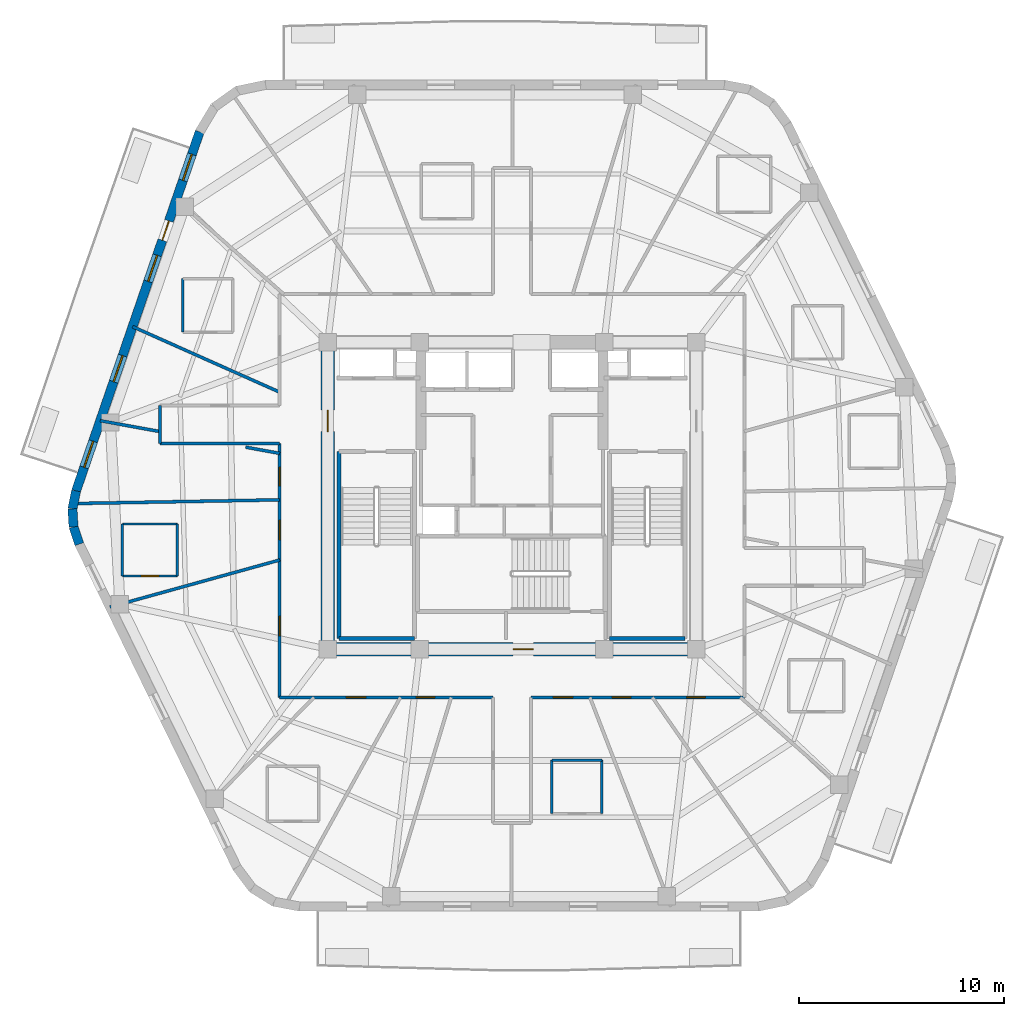
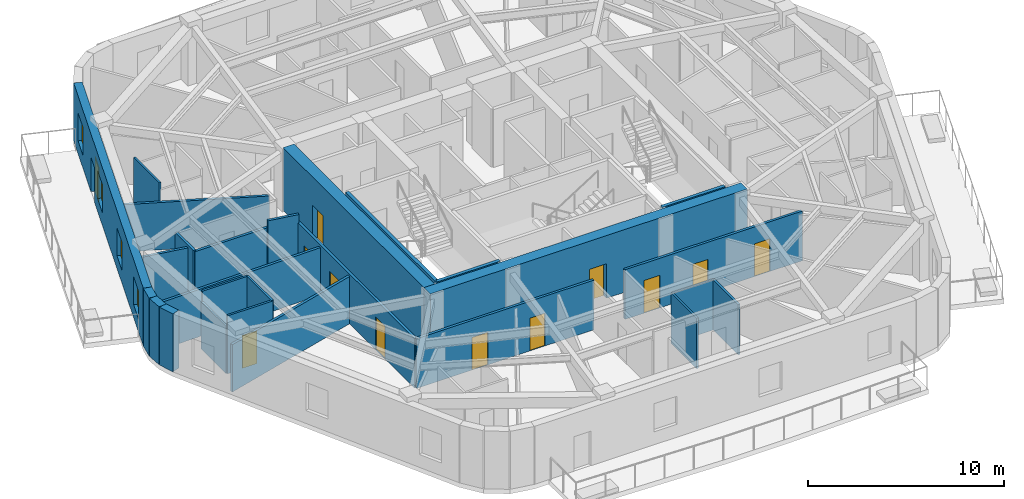
# One storey, part 3 of 9: 27 walls, 12 doors, 4 windows, 16 openings.
"""IFC4 building model written with IfcOpenShell, lengths in metres."""

from ifc_helpers import new_model, si_unit, direction, frame, frame_2d, origin, place, context, subcontext, project, spatial, rectangle, extrude, material, layer, layer_set, type_object, element, fill, save


model = new_model("IFC4")

# Units and contexts
model_context = context("Model", 3, precision=1e-05, world=origin(), true_north=direction((0.0, 1.0)))
body_context = subcontext(model_context, "Body", "Model", "MODEL_VIEW")
ifc_project = project(units=[si_unit("LENGTHUNIT", "METRE"), si_unit("AREAUNIT", "SQUARE_METRE"), si_unit("VOLUMEUNIT", "CUBIC_METRE"), si_unit("PLANEANGLEUNIT", "RADIAN"), si_unit("MASSUNIT", "GRAM", prefix="KILO")], contexts=[model_context])

# Site, building, storey
site_placement = place(None, origin())
site = spatial("IfcSite", under=ifc_project, at=site_placement, CompositionType="ELEMENT")
building_placement = place(site_placement, origin())
building = spatial("IfcBuilding", under=site, at=building_placement, Name="Kilnhurst Terrace Hotel", CompositionType="ELEMENT")
storey_placement = place(building_placement, frame((0.0, 0.0, 269.10009765625)))
storey = spatial("IfcBuildingStorey", under=building, at=storey_placement, Name="L67", CompositionType="ELEMENT", Elevation=269.10009765625)

# Walls
ifc_material_1 = material(Name="Precast concrete C40/50", Category="concrete")
ifc_layer_1 = layer(ifc_material_1, 0.449951171875, Name="Precast concrete C40/50")
ifc_layer_set_1 = layer_set([ifc_layer_1], Name="Precast concrete C40/50")
wall_type_1 = type_object("IfcWallType", Name="WL-BRK-450", PredefinedType="SOLIDWALL", material=ifc_layer_set_1)
wall_1_placement = place(storey_placement, frame((-21.297607421875, 0.2333984375, 0.0), z_axis=(0.0, 0.0, 1.0), x_axis=(-0.199158176661, -0.979967356941, 0.0)))
element("IfcWall", 1, at=wall_1_placement, inside=storey, type_object=wall_type_1, Name="L67 Rounded Corner Brick Wall C6.1", PredefinedType="SOLIDWALL", context=body_context, shape_type="SweptSolid", body=[
    extrude(rectangle(XDim=0.894775390625, YDim=0.449951171875, at=frame_2d((0.447265625, 0.0))), origin(), (0.0, 0.0, 1.0), 3.599853515625),
])
wall_2_placement = place(storey_placement, frame((-21.475830078125, -0.6435546875, 0.0), z_axis=(0.0, 0.0, 1.0), x_axis=(0.061031097918, -0.998135865044, 0.0)))
element("IfcWall", 2, at=wall_2_placement, inside=storey, type_object=wall_type_1, Name="L67 Rounded Corner Brick Wall C6.2", PredefinedType="SOLIDWALL", context=body_context, shape_type="SweptSolid", body=[
    extrude(rectangle(XDim=0.880126953125, YDim=0.449951171875, at=frame_2d((0.43994140625, 0.0))), origin(), (0.0, 0.0, 1.0), 3.599853515625),
])
wall_3_placement = place(storey_placement, frame((-21.422119140625, -1.52197265625, 0.0), z_axis=(0.0, 0.0, 1.0), x_axis=(0.316964162323, -0.94843751497, 0.0)))
element("IfcWall", 3, at=wall_3_placement, inside=storey, type_object=wall_type_1, Name="L67 Rounded Corner Brick Wall C6.3", PredefinedType="SOLIDWALL", context=body_context, shape_type="SweptSolid", body=[
    extrude(rectangle(XDim=0.89501953125, YDim=0.449951171875, at=frame_2d((0.447509765625, 0.0))), origin(), (0.0, 0.0, 1.0), 3.599853515625),
])

# Wall, openings, door, windows
wall_4_placement = place(storey_placement, frame((-15.260498046875, 17.776123046875, 0.0), z_axis=(0.0, 0.0, 1.0), x_axis=(-0.325407437101, -0.945573899745, 0.0)))
wall_4 = element("IfcWall", 4, at=wall_4_placement, inside=storey, type_object=wall_type_1, Name="L67 Exterior Brick Facade Wall F5", PredefinedType="SOLIDWALL", context=body_context, shape_type="SweptSolid", body=[
    extrude(rectangle(XDim=18.552490234375, YDim=0.449951171875, at=frame_2d((9.2763671875, 0.0))), origin(), (0.0, 0.0, 1.0), 3.599853515625),
])
opening_1_placement = place(wall_4_placement, frame((4.60205078125, 0.0, 0.0)))
opening_1 = element("IfcOpeningElement", 5, at=opening_1_placement, cuts=wall_4, Name="Opening BD-1000", PredefinedType="OPENING", context=body_context, shape_type="SweptSolid", body=[
    extrude(rectangle(XDim=1.0, YDim=2.14990234375, at=frame_2d((0.5, 1.074951171875))), frame((0.0, 0.23486328125, 0.0), z_axis=(0.0, -1.0, 0.0), x_axis=(1.0, 0.0, 0.0)), (0.0, 0.0, 1.0), 0.469970703125),
])
opening_2_placement = place(wall_4_placement, frame((1.160888671875, 0.0, 0.800048828125)))
opening_2 = element("IfcOpeningElement", 6, at=opening_2_placement, cuts=wall_4, Name="Opening W-06", PredefinedType="OPENING", context=body_context, shape_type="SweptSolid", body=[
    extrude(rectangle(XDim=1.35009765625, YDim=1.75, at=frame_2d((0.675048828125, 0.875))), frame((0.0, 0.23486328125, 0.0), z_axis=(0.0, -1.0, 0.0), x_axis=(1.0, 0.0, 0.0)), (0.0, 0.0, 1.0), 0.469970703125),
])
opening_3_placement = place(wall_4_placement, frame((6.37890625, 0.0, 0.800048828125)))
opening_3 = element("IfcOpeningElement", 7, at=opening_3_placement, cuts=wall_4, Name="Opening W-06", PredefinedType="OPENING", context=body_context, shape_type="SweptSolid", body=[
    extrude(rectangle(XDim=1.35009765625, YDim=1.75, at=frame_2d((0.675048828125, 0.875))), frame((0.0, 0.23486328125, 0.0), z_axis=(0.0, -1.0, 0.0), x_axis=(1.0, 0.0, 0.0)), (0.0, 0.0, 1.0), 0.469970703125),
])
opening_4_placement = place(wall_4_placement, frame((11.56103515625, 0.0, 0.800048828125)))
opening_4 = element("IfcOpeningElement", 8, at=opening_4_placement, cuts=wall_4, Name="Opening W-06", PredefinedType="OPENING", context=body_context, shape_type="SweptSolid", body=[
    extrude(rectangle(XDim=1.35009765625, YDim=1.75, at=frame_2d((0.675048828125, 0.875))), frame((0.0, 0.23486328125, 0.0), z_axis=(0.0, -1.0, 0.0), x_axis=(1.0, 0.0, 0.0)), (0.0, 0.0, 1.0), 0.469970703125),
])
opening_5_placement = place(wall_4_placement, frame((15.987060546875, 0.0, 0.800048828125)))
opening_5 = element("IfcOpeningElement", 9, at=opening_5_placement, cuts=wall_4, Name="Opening W-06", PredefinedType="OPENING", context=body_context, shape_type="SweptSolid", body=[
    extrude(rectangle(XDim=1.35009765625, YDim=1.75, at=frame_2d((0.675048828125, 0.875))), frame((0.0, 0.23486328125, 0.0), z_axis=(0.0, -1.0, 0.0), x_axis=(1.0, 0.0, 0.0)), (0.0, 0.0, 1.0), 0.469970703125),
])
ifc_material_2 = material(Name="Thermally Broken Bronze Aluminium Alloy 6063-T6 and Laminated Glass", Category="aluminium")
door_type_1 = type_object("IfcDoorType", Name="DR-EXT-BAL-1000", OperationType="NOTDEFINED", PredefinedType="DOOR", material=ifc_material_2)
door_1_placement = place(opening_1_placement, origin())
door_1 = element("IfcDoor", 10, at=door_1_placement, inside=storey, type_object=door_type_1, Name="L67 Planted Balcony Door BAL-L2B", OperationType="SINGLE_SWING_LEFT", OverallHeight=2.14990234375, OverallWidth=1.0, PredefinedType="DOOR", context=body_context, shape_type="SweptSolid", body=[
    extrude(rectangle(XDim=1.0, YDim=2.14990234375, at=frame_2d((0.5, 1.074951171875))), frame((0.0, 0.02490234375, 0.0), z_axis=(0.0, -1.0, 0.0), x_axis=(1.0, 0.0, 0.0)), (0.0, 0.0, 1.0), 0.050048828125),
])
fill(opening_1, door_1)
ifc_material_3 = material(Name="Thermally Broken Bronze Aluminium Alloy 6063-T6 and Low-E Glass", Category="aluminium")
window_type = type_object("IfcWindowType", Name="WIN-1350X1750", PartitioningType="SINGLE_PANEL", PredefinedType="WINDOW", material=ifc_material_3)
window_1_placement = place(opening_2_placement, origin())
window_1 = element("IfcWindow", 11, at=window_1_placement, inside=storey, type_object=window_type, Name="L67 Deep-Set Masonry Window F5.1", OverallHeight=1.75, OverallWidth=1.35009765625, PartitioningType="SINGLE_PANEL", PredefinedType="WINDOW", context=body_context, shape_type="SweptSolid", body=[
    extrude(rectangle(XDim=1.35009765625, YDim=1.75, at=frame_2d((0.675048828125, 0.875))), frame((0.0, 0.030029296875, 0.0), z_axis=(0.0, -1.0, 0.0), x_axis=(1.0, 0.0, 0.0)), (0.0, 0.0, 1.0), 0.06005859375),
])
fill(opening_2, window_1)
window_2_placement = place(opening_3_placement, origin())
window_2 = element("IfcWindow", 12, at=window_2_placement, inside=storey, type_object=window_type, Name="L67 Deep-Set Masonry Window F5.2", OverallHeight=1.75, OverallWidth=1.35009765625, PartitioningType="SINGLE_PANEL", PredefinedType="WINDOW", context=body_context, shape_type="SweptSolid", body=[
    extrude(rectangle(XDim=1.35009765625, YDim=1.75, at=frame_2d((0.675048828125, 0.875))), frame((0.0, 0.030029296875, 0.0), z_axis=(0.0, -1.0, 0.0), x_axis=(1.0, 0.0, 0.0)), (0.0, 0.0, 1.0), 0.06005859375),
])
fill(opening_3, window_2)
window_3_placement = place(opening_4_placement, origin())
window_3 = element("IfcWindow", 13, at=window_3_placement, inside=storey, type_object=window_type, Name="L67 Deep-Set Masonry Window F5.3", OverallHeight=1.75, OverallWidth=1.35009765625, PartitioningType="SINGLE_PANEL", PredefinedType="WINDOW", context=body_context, shape_type="SweptSolid", body=[
    extrude(rectangle(XDim=1.35009765625, YDim=1.75, at=frame_2d((0.675048828125, 0.875))), frame((0.0, 0.030029296875, 0.0), z_axis=(0.0, -1.0, 0.0), x_axis=(1.0, 0.0, 0.0)), (0.0, 0.0, 1.0), 0.06005859375),
])
fill(opening_4, window_3)
window_4_placement = place(opening_5_placement, origin())
window_4 = element("IfcWindow", 14, at=window_4_placement, inside=storey, type_object=window_type, Name="L67 Deep-Set Masonry Window F5.4", OverallHeight=1.75, OverallWidth=1.35009765625, PartitioningType="SINGLE_PANEL", PredefinedType="WINDOW", context=body_context, shape_type="SweptSolid", body=[
    extrude(rectangle(XDim=1.35009765625, YDim=1.75, at=frame_2d((0.675048828125, 0.875))), frame((0.0, 0.030029296875, 0.0), z_axis=(0.0, -1.0, 0.0), x_axis=(1.0, 0.0, 0.0)), (0.0, 0.0, 1.0), 0.06005859375),
])
fill(opening_5, window_4)

# Wall, openings, doors
ifc_material_4 = material(Name="Acoustic Double-Gypsum Corridor Partition Assembly")
ifc_layer_2 = layer(ifc_material_4, 0.14990234375, Name="Acoustic Double-Gypsum Corridor Partition Assembly")
ifc_layer_set_2 = layer_set([ifc_layer_2], Name="Acoustic Double-Gypsum Corridor Partition Assembly")
wall_type_2 = type_object("IfcWallType", Name="WL-COR-150", PredefinedType="PARTITIONING", material=ifc_layer_set_2)
wall_5_placement = place(storey_placement, frame((-11.35009765625, -9.85009765625, 0.0), z_axis=(0.0, 0.0, 1.0), x_axis=(0.0, 1.0, 0.0)))
wall_5 = element("IfcWall", 15, at=wall_5_placement, inside=storey, type_object=wall_type_2, Name="L67 Interior Wall WL-L67-COR-01", PredefinedType="PARTITIONING", context=body_context, shape_type="SweptSolid", body=[
    extrude(rectangle(XDim=12.400146484375, YDim=0.14990234375, at=frame_2d((6.2001953125, 0.0))), origin(), (0.0, 0.0, 1.0), 3.08984375),
])
opening_6_placement = place(wall_5_placement, frame((10.3330078125, 0.0, 0.0)))
opening_6 = element("IfcOpeningElement", 16, at=opening_6_placement, cuts=wall_5, Name="Opening D-60C", PredefinedType="OPENING", context=body_context, shape_type="SweptSolid", body=[
    extrude(rectangle(XDim=0.89990234375, YDim=2.030029296875, at=frame_2d((0.449951171875, 1.01513671875))), frame((0.0, 0.0849609375, 0.0), z_axis=(0.0, -1.0, 0.0), x_axis=(1.0, 0.0, 0.0)), (0.0, 0.0, 1.0), 0.169921875),
])
opening_7_placement = place(wall_5_placement, frame((7.697021484375, 0.0, 0.0)))
opening_7 = element("IfcOpeningElement", 17, at=opening_7_placement, cuts=wall_5, Name="Opening D-60B", PredefinedType="OPENING", context=body_context, shape_type="SweptSolid", body=[
    extrude(rectangle(XDim=0.949951171875, YDim=2.030029296875, at=frame_2d((0.47509765625, 1.01513671875))), frame((0.0, 0.0849609375, 0.0), z_axis=(0.0, -1.0, 0.0), x_axis=(1.0, 0.0, 0.0)), (0.0, 0.0, 1.0), 0.169921875),
])
opening_8_placement = place(wall_5_placement, frame((2.998046875, 0.0, 0.0)))
opening_8 = element("IfcOpeningElement", 18, at=opening_8_placement, cuts=wall_5, Name="Opening D-60B", PredefinedType="OPENING", context=body_context, shape_type="SweptSolid", body=[
    extrude(rectangle(XDim=0.949951171875, YDim=2.030029296875, at=frame_2d((0.47509765625, 1.01513671875))), frame((0.0, 0.0849609375, 0.0), z_axis=(0.0, -1.0, 0.0), x_axis=(1.0, 0.0, 0.0)), (0.0, 0.0, 1.0), 0.169921875),
])
ifc_material_5 = material(Name="Painted Solid-Core Service Fire Door")
door_type_2 = type_object("IfcDoorType", Name="DR-FD60-900", OperationType="NOTDEFINED", PredefinedType="DOOR", material=ifc_material_5)
door_2_placement = place(opening_6_placement, origin())
door_2 = element("IfcDoor", 19, at=door_2_placement, inside=storey, type_object=door_type_2, Name="L67 Private Tasting Dining Room Door 11", OperationType="SINGLE_SWING_LEFT", OverallHeight=2.030029296875, OverallWidth=0.89990234375, PredefinedType="DOOR", context=body_context, shape_type="SweptSolid", body=[
    extrude(rectangle(XDim=0.89990234375, YDim=2.030029296875, at=frame_2d((0.449951171875, 1.01513671875))), frame((0.0, 0.02490234375, 0.0), z_axis=(0.0, -1.0, 0.0), x_axis=(1.0, 0.0, 0.0)), (0.0, 0.0, 1.0), 0.050048828125),
])
fill(opening_6, door_2)
ifc_material_6 = material(Name="Acoustic Walnut Veneer Solid-Core Fire Door")
door_type_3 = type_object("IfcDoorType", Name="DR-FD60-950", OperationType="NOTDEFINED", PredefinedType="DOOR", material=ifc_material_6)
door_3_placement = place(opening_7_placement, origin())
door_3 = element("IfcDoor", 20, at=door_3_placement, inside=storey, type_object=door_type_3, Name="L67 Guest Room Entry Door 12", OperationType="SINGLE_SWING_RIGHT", OverallHeight=2.030029296875, OverallWidth=0.949951171875, PredefinedType="DOOR", context=body_context, shape_type="SweptSolid", body=[
    extrude(rectangle(XDim=0.949951171875, YDim=2.030029296875, at=frame_2d((0.47509765625, 1.01513671875))), frame((0.0, 0.02490234375, 0.0), z_axis=(0.0, -1.0, 0.0), x_axis=(1.0, 0.0, 0.0)), (0.0, 0.0, 1.0), 0.050048828125),
])
fill(opening_7, door_3)
door_4_placement = place(opening_8_placement, origin())
door_4 = element("IfcDoor", 21, at=door_4_placement, inside=storey, type_object=door_type_3, Name="L67 Summit Club Lounge Door", OperationType="SINGLE_SWING_LEFT", OverallHeight=2.030029296875, OverallWidth=0.949951171875, PredefinedType="DOOR", context=body_context, shape_type="SweptSolid", body=[
    extrude(rectangle(XDim=0.949951171875, YDim=2.030029296875, at=frame_2d((0.47509765625, 1.01513671875))), frame((0.0, 0.02490234375, 0.0), z_axis=(0.0, -1.0, 0.0), x_axis=(1.0, 0.0, 0.0)), (0.0, 0.0, 1.0), 0.050048828125),
])
fill(opening_8, door_4)

# Walls
wall_6_placement = place(storey_placement, frame((-11.35009765625, 2.550048828125, 0.0), z_axis=(0.0, 0.0, 1.0), x_axis=(-1.0, 0.0, 0.0)))
element("IfcWall", 22, at=wall_6_placement, inside=storey, type_object=wall_type_2, Name="L67 Interior Wall WL-L67-COR-02", PredefinedType="PARTITIONING", context=body_context, shape_type="SweptSolid", body=[
    extrude(rectangle(XDim=5.849853515625, YDim=0.14990234375, at=frame_2d((2.9248046875, 0.0))), origin(), (0.0, 0.0, 1.0), 3.040283203125),
])
wall_7_placement = place(storey_placement, frame((-17.199951171875, 2.550048828125, 0.0), z_axis=(0.0, 0.0, 1.0), x_axis=(0.0, 1.0, 0.0)))
element("IfcWall", 23, at=wall_7_placement, inside=storey, type_object=wall_type_2, Name="L67 Interior Wall WL-L67-COR-03", PredefinedType="PARTITIONING", context=body_context, shape_type="SweptSolid", body=[
    extrude(rectangle(XDim=1.849853515625, YDim=0.14990234375, at=frame_2d((0.9248046875, 0.0))), origin(), (0.0, 0.0, 1.0), 3.08984375),
])

# Wall, openings, doors
wall_8_placement = place(storey_placement, frame((11.35009765625, -9.85009765625, 0.0), z_axis=(0.0, 0.0, 1.0), x_axis=(-1.0, 0.0, 0.0)))
wall_8 = element("IfcWall", 24, at=wall_8_placement, inside=storey, type_object=wall_type_2, Name="L67 Interior Wall WL-L67-COR-16", PredefinedType="PARTITIONING", context=body_context, shape_type="SweptSolid", body=[
    extrude(rectangle(XDim=10.43017578125, YDim=0.14990234375, at=frame_2d((5.215087890625, 0.0))), origin(), (0.0, 0.0, 1.0), 3.08984375),
])
opening_9_placement = place(wall_8_placement, frame((8.382080078125, 0.0, 0.0)))
opening_9 = element("IfcOpeningElement", 25, at=opening_9_placement, cuts=wall_8, Name="Opening D-60B", PredefinedType="OPENING", context=body_context, shape_type="SweptSolid", body=[
    extrude(rectangle(XDim=0.949951171875, YDim=2.030029296875, at=frame_2d((0.47509765625, 1.01513671875))), frame((0.0, 0.0849609375, 0.0), z_axis=(0.0, -1.0, 0.0), x_axis=(1.0, 0.0, 0.0)), (0.0, 0.0, 1.0), 0.169921875),
])
opening_10_placement = place(wall_8_placement, frame((5.541015625, 0.0, 0.0)))
opening_10 = element("IfcOpeningElement", 26, at=opening_10_placement, cuts=wall_8, Name="Opening D-60C", PredefinedType="OPENING", context=body_context, shape_type="SweptSolid", body=[
    extrude(rectangle(XDim=0.89990234375, YDim=2.030029296875, at=frame_2d((0.449951171875, 1.01513671875))), frame((0.0, 0.0849609375, 0.0), z_axis=(0.0, -1.0, 0.0), x_axis=(1.0, 0.0, 0.0)), (0.0, 0.0, 1.0), 0.169921875),
])
opening_11_placement = place(wall_8_placement, frame((1.916015625, 0.0, 0.0)))
opening_11 = element("IfcOpeningElement", 27, at=opening_11_placement, cuts=wall_8, Name="Opening D-60C", PredefinedType="OPENING", context=body_context, shape_type="SweptSolid", body=[
    extrude(rectangle(XDim=0.89990234375, YDim=2.030029296875, at=frame_2d((0.449951171875, 1.01513671875))), frame((0.0, 0.0849609375, 0.0), z_axis=(0.0, -1.0, 0.0), x_axis=(1.0, 0.0, 0.0)), (0.0, 0.0, 1.0), 0.169921875),
])
door_5_placement = place(opening_10_placement, origin())
door_5 = element("IfcDoor", 28, at=door_5_placement, inside=storey, type_object=door_type_2, Name="L67 Botanical Reading Lounge Door 18", OperationType="SINGLE_SWING_RIGHT", OverallHeight=2.030029296875, OverallWidth=0.89990234375, PredefinedType="DOOR", context=body_context, shape_type="SweptSolid", body=[
    extrude(rectangle(XDim=0.89990234375, YDim=2.030029296875, at=frame_2d((0.449951171875, 1.01513671875))), frame((0.0, 0.02490234375, 0.0), z_axis=(0.0, -1.0, 0.0), x_axis=(1.0, 0.0, 0.0)), (0.0, 0.0, 1.0), 0.050048828125),
])
fill(opening_10, door_5)
door_6_placement = place(opening_11_placement, origin())
door_6 = element("IfcDoor", 29, at=door_6_placement, inside=storey, type_object=door_type_2, Name="L67 Private Meeting Salon Door 19", OperationType="SINGLE_SWING_LEFT", OverallHeight=2.030029296875, OverallWidth=0.89990234375, PredefinedType="DOOR", context=body_context, shape_type="SweptSolid", body=[
    extrude(rectangle(XDim=0.89990234375, YDim=2.030029296875, at=frame_2d((0.449951171875, 1.01513671875))), frame((0.0, 0.02490234375, 0.0), z_axis=(0.0, -1.0, 0.0), x_axis=(1.0, 0.0, 0.0)), (0.0, 0.0, 1.0), 0.050048828125),
])
fill(opening_11, door_6)
door_7_placement = place(opening_9_placement, origin())
door_7 = element("IfcDoor", 30, at=door_7_placement, inside=storey, type_object=door_type_3, Name="L67 Guest Room Entry Door 17", OperationType="SINGLE_SWING_LEFT", OverallHeight=2.030029296875, OverallWidth=0.949951171875, PredefinedType="DOOR", context=body_context, shape_type="SweptSolid", body=[
    extrude(rectangle(XDim=0.949951171875, YDim=2.030029296875, at=frame_2d((0.47509765625, 1.01513671875))), frame((0.0, 0.02490234375, 0.0), z_axis=(0.0, -1.0, 0.0), x_axis=(1.0, 0.0, 0.0)), (0.0, 0.0, 1.0), 0.050048828125),
])
fill(opening_9, door_7)

wall_9_placement = place(storey_placement, frame((-0.919921875, -9.85009765625, 0.0), z_axis=(0.0, 0.0, 1.0), x_axis=(-1.0, 0.0, 0.0)))
wall_9 = element("IfcWall", 31, at=wall_9_placement, inside=storey, type_object=wall_type_2, Name="L67 Interior Wall WL-L67-COR-20", PredefinedType="PARTITIONING", context=body_context, shape_type="SweptSolid", body=[
    extrude(rectangle(XDim=10.43017578125, YDim=0.14990234375, at=frame_2d((5.215087890625, 0.0))), origin(), (0.0, 0.0, 1.0), 3.08984375),
])
opening_12_placement = place(wall_9_placement, frame((6.216064453125, 0.0, 0.0)))
opening_12 = element("IfcOpeningElement", 32, at=opening_12_placement, cuts=wall_9, Name="Opening D-60B", PredefinedType="OPENING", context=body_context, shape_type="SweptSolid", body=[
    extrude(rectangle(XDim=0.949951171875, YDim=2.030029296875, at=frame_2d((0.47509765625, 1.01513671875))), frame((0.0, 0.0849609375, 0.0), z_axis=(0.0, -1.0, 0.0), x_axis=(1.0, 0.0, 0.0)), (0.0, 0.0, 1.0), 0.169921875),
])
opening_13_placement = place(wall_9_placement, frame((2.860107421875, 0.0, 0.0)))
opening_13 = element("IfcOpeningElement", 33, at=opening_13_placement, cuts=wall_9, Name="Opening D-60C", PredefinedType="OPENING", context=body_context, shape_type="SweptSolid", body=[
    extrude(rectangle(XDim=0.89990234375, YDim=2.030029296875, at=frame_2d((0.449951171875, 1.01513671875))), frame((0.0, 0.0849609375, 0.0), z_axis=(0.0, -1.0, 0.0), x_axis=(1.0, 0.0, 0.0)), (0.0, 0.0, 1.0), 0.169921875),
])
door_8_placement = place(opening_13_placement, origin())
door_8 = element("IfcDoor", 34, at=door_8_placement, inside=storey, type_object=door_type_2, Name="L67 Executive Work Office Door 15", OperationType="SINGLE_SWING_LEFT", OverallHeight=2.030029296875, OverallWidth=0.89990234375, PredefinedType="DOOR", context=body_context, shape_type="SweptSolid", body=[
    extrude(rectangle(XDim=0.89990234375, YDim=2.030029296875, at=frame_2d((0.449951171875, 1.01513671875))), frame((0.0, 0.02490234375, 0.0), z_axis=(0.0, -1.0, 0.0), x_axis=(1.0, 0.0, 0.0)), (0.0, 0.0, 1.0), 0.050048828125),
])
fill(opening_13, door_8)
door_9_placement = place(opening_12_placement, origin())
door_9 = element("IfcDoor", 35, at=door_9_placement, inside=storey, type_object=door_type_3, Name="L67 Guest Room Entry Door 14", OperationType="SINGLE_SWING_RIGHT", OverallHeight=2.030029296875, OverallWidth=0.949951171875, PredefinedType="DOOR", context=body_context, shape_type="SweptSolid", body=[
    extrude(rectangle(XDim=0.949951171875, YDim=2.030029296875, at=frame_2d((0.47509765625, 1.01513671875))), frame((0.0, 0.02490234375, 0.0), z_axis=(0.0, -1.0, 0.0), x_axis=(1.0, 0.0, 0.0)), (0.0, 0.0, 1.0), 0.050048828125),
])
fill(opening_12, door_9)

# Wall, opening, door
ifc_material_7 = material(Name="Concrete C60/75", Category="concrete")
ifc_layer_3 = layer(ifc_material_7, 0.64990234375, Name="Concrete C60/75")
ifc_layer_set_3 = layer_set([ifc_layer_3], Name="Concrete C60/75")
wall_type_3 = type_object("IfcWallType", Name="WL-CORE-650", PredefinedType="SHEAR", material=ifc_layer_set_3)
wall_10_placement = place(storey_placement, frame((-9.324951171875, -7.5, 0.0), z_axis=(0.0, 0.0, 1.0), x_axis=(1.0, 0.0, 0.0)))
wall_10 = element("IfcWall", 36, at=wall_10_placement, inside=storey, type_object=wall_type_3, Name="L67 Core South Shear Wall", PredefinedType="SHEAR", context=body_context, shape_type="SweptSolid", body=[
    extrude(rectangle(XDim=18.64990234375, YDim=0.64990234375, at=frame_2d((9.324951171875, 0.0))), origin(), (0.0, 0.0, 1.0), 3.89990234375),
])
opening_14_placement = place(wall_10_placement, frame((9.375, 0.0, 0.0)))
opening_14 = element("IfcOpeningElement", 37, at=opening_14_placement, cuts=wall_10, Name="Opening D-90B", PredefinedType="OPENING", context=body_context, shape_type="SweptSolid", body=[
    extrude(rectangle(XDim=1.0, YDim=2.14990234375, at=frame_2d((0.5, 1.074951171875))), frame((0.0, 0.3349609375, 0.0), z_axis=(0.0, -1.0, 0.0), x_axis=(1.0, 0.0, 0.0)), (0.0, 0.0, 1.0), 0.669921875),
])
ifc_material_8 = material(Name="Painted Hollow Metal Steel ASTM A36 Fire Door", Category="steel")
door_type_4 = type_object("IfcDoorType", Name="DR-FD90-1000", OperationType="NOTDEFINED", PredefinedType="DOOR", material=ifc_material_8)
door_10_placement = place(opening_14_placement, origin())
door_10 = element("IfcDoor", 38, at=door_10_placement, inside=storey, type_object=door_type_4, Name="L67 Stair ST-3 Corridor Door", OperationType="SINGLE_SWING_RIGHT", OverallHeight=2.14990234375, OverallWidth=1.0, PredefinedType="DOOR", context=body_context, shape_type="SweptSolid", body=[
    extrude(rectangle(XDim=1.0, YDim=2.14990234375, at=frame_2d((0.5, 1.074951171875))), frame((0.0, 0.02490234375, 0.0), z_axis=(0.0, -1.0, 0.0), x_axis=(1.0, 0.0, 0.0)), (0.0, 0.0, 1.0), 0.050048828125),
])
fill(opening_14, door_10)

wall_11_placement = place(storey_placement, frame((-9.0, -7.175048828125, 0.0), z_axis=(0.0, 0.0, 1.0), x_axis=(0.0, 1.0, 0.0)))
wall_11 = element("IfcWall", 39, at=wall_11_placement, inside=storey, type_object=wall_type_3, Name="L67 Core West Shear Wall", PredefinedType="SHEAR", context=body_context, shape_type="SweptSolid", body=[
    extrude(rectangle(XDim=14.35009765625, YDim=0.64990234375, at=frame_2d((7.175048828125, 0.0))), origin(), (0.0, 0.0, 1.0), 3.89990234375),
])
opening_15_placement = place(wall_11_placement, frame((10.300048828125, 0.0, 0.0)))
opening_15 = element("IfcOpeningElement", 40, at=opening_15_placement, cuts=wall_11, Name="Opening D-90A", PredefinedType="OPENING", context=body_context, shape_type="SweptSolid", body=[
    extrude(rectangle(XDim=1.050048828125, YDim=2.14990234375, at=frame_2d((0.52490234375, 1.074951171875))), frame((0.0, 0.3349609375, 0.0), z_axis=(0.0, -1.0, 0.0), x_axis=(1.0, 0.0, 0.0)), (0.0, 0.0, 1.0), 0.669921875),
])
door_type_5 = type_object("IfcDoorType", Name="DR-FD90-1050", OperationType="NOTDEFINED", PredefinedType="DOOR", material=ifc_material_8)
door_11_placement = place(opening_15_placement, origin())
door_11 = element("IfcDoor", 41, at=door_11_placement, inside=storey, type_object=door_type_5, Name="L67 West Firefighting Lobby Door", OperationType="SINGLE_SWING_RIGHT", OverallHeight=2.14990234375, OverallWidth=1.050048828125, PredefinedType="DOOR", context=body_context, shape_type="SweptSolid", body=[
    extrude(rectangle(XDim=1.050048828125, YDim=2.14990234375, at=frame_2d((0.52490234375, 1.074951171875))), frame((0.0, 0.02490234375, 0.0), z_axis=(0.0, -1.0, 0.0), x_axis=(1.0, 0.0, 0.0)), (0.0, 0.0, 1.0), 0.050048828125),
])
fill(opening_15, door_11)

# Walls
ifc_material_9 = material(Name="STC-58 Acoustic Twin-Frame Guestroom Demising Partition")
ifc_layer_4 = layer(ifc_material_9, 0.14990234375, Name="STC-58 Acoustic Twin-Frame Guestroom Demising Partition")
ifc_layer_set_4 = layer_set([ifc_layer_4], Name="STC-58 Acoustic Twin-Frame Guestroom Demising Partition")
wall_type_4 = type_object("IfcWallType", Name="WL-DEM-150", PredefinedType="PARTITIONING", material=ifc_layer_set_4)
wall_12_placement = place(storey_placement, frame((-11.35009765625, 5.056640625, 0.0), z_axis=(0.0, 0.0, 1.0), x_axis=(-0.91344644156, 0.406958964026, 0.0)))
element("IfcWall", 42, at=wall_12_placement, inside=storey, type_object=wall_type_4, Name="L67 Interior Wall WL-L67-DEM-MID05-10-1", PredefinedType="PARTITIONING", context=body_context, shape_type="SweptSolid", body=[
    extrude(rectangle(XDim=7.86669921875, YDim=0.14990234375, at=frame_2d((3.933349609375, 0.0))), origin(), (0.0, 0.0, 1.0), 2.93994140625),
])
wall_13_placement = place(storey_placement, frame((-11.35009765625, 2.067138671875, 0.0), z_axis=(0.0, 0.0, 1.0), x_axis=(-0.983807459651, 0.179228575665, 0.0)))
element("IfcWall", 43, at=wall_13_placement, inside=storey, type_object=wall_type_4, Name="L67 Interior Wall WL-L67-DEM-COL06-11-1", PredefinedType="PARTITIONING", context=body_context, shape_type="SweptSolid", body=[
    extrude(rectangle(XDim=1.6904296875, YDim=0.14990234375, at=frame_2d((0.84521484375, 0.0))), origin(), (0.0, 0.0, 1.0), 3.599853515625),
])
wall_14_placement = place(storey_placement, frame((-17.199951171875, 3.132568359375, 0.0), z_axis=(0.0, 0.0, 1.0), x_axis=(-0.983817168797, 0.179175272791, 0.0)))
element("IfcWall", 44, at=wall_14_placement, inside=storey, type_object=wall_type_4, Name="L67 Interior Wall WL-L67-DEM-COL06-11-2", PredefinedType="PARTITIONING", context=body_context, shape_type="SweptSolid", body=[
    extrude(rectangle(XDim=2.965087890625, YDim=0.14990234375, at=frame_2d((1.482421875, 0.0))), origin(), (0.0, 0.0, 1.0), 2.93994140625),
])
wall_15_placement = place(storey_placement, frame((-11.35009765625, -0.2041015625, 0.0), z_axis=(0.0, 0.0, 1.0), x_axis=(-0.999838748671, -0.017957635019, 0.0)))
element("IfcWall", 45, at=wall_15_placement, inside=storey, type_object=wall_type_4, Name="L67 Interior Wall WL-L67-DEM-MID06-12-1", PredefinedType="PARTITIONING", context=body_context, shape_type="SweptSolid", body=[
    extrude(rectangle(XDim=9.9111328125, YDim=0.14990234375, at=frame_2d((4.95556640625, 0.0))), origin(), (0.0, 0.0, 1.0), 2.93994140625),
])
wall_16_placement = place(storey_placement, frame((-11.35009765625, -3.142822265625, 0.0), z_axis=(0.0, 0.0, 1.0), x_axis=(-0.963731818141, -0.266872596386, 0.0)))
element("IfcWall", 46, at=wall_16_placement, inside=storey, type_object=wall_type_4, Name="L67 Interior Wall WL-L67-DEM-COL07-13-1", PredefinedType="PARTITIONING", context=body_context, shape_type="SweptSolid", body=[
    extrude(rectangle(XDim=8.604736328125, YDim=0.14990234375, at=frame_2d((4.30224609375, 0.0))), origin(), (0.0, 0.0, 1.0), 2.93994140625),
])
ifc_material_10 = material(Name="120 mm Moisture-Resistant Tile-Backed Bathroom Partition")
ifc_layer_5 = layer(ifc_material_10, 0.1201171875, Name="120 mm Moisture-Resistant Tile-Backed Bathroom Partition")
ifc_layer_set_5 = layer_set([ifc_layer_5], Name="120 mm Moisture-Resistant Tile-Backed Bathroom Partition")
wall_type_5 = type_object("IfcWallType", Name="WL-PART-120", PredefinedType="PARTITIONING", material=ifc_layer_set_5)
wall_17_placement = place(storey_placement, frame((-16.0791015625, 10.60205078125, 0.0), z_axis=(0.0, 0.0, 1.0), x_axis=(0.0, -1.0, 0.0)))
element("IfcWall", 47, at=wall_17_placement, inside=storey, type_object=wall_type_5, Name="L67 Interior Wall WL-L67-BTH-09-4", PredefinedType="PARTITIONING", context=body_context, shape_type="SweptSolid", body=[
    extrude(rectangle(XDim=2.610107421875, YDim=0.1201171875, at=frame_2d((1.30517578125, 0.0))), origin(), (0.0, 0.0, 1.0), 3.599853515625),
])

# Wall, opening, door
wall_18_placement = place(storey_placement, frame((-19.031005859375, -3.924072265625, 0.0), z_axis=(0.0, 0.0, 1.0), x_axis=(1.0, 0.0, 0.0)))
wall_18 = element("IfcWall", 48, at=wall_18_placement, inside=storey, type_object=wall_type_5, Name="L67 Interior Wall WL-L67-BTH-12-1", PredefinedType="PARTITIONING", context=body_context, shape_type="SweptSolid", body=[
    extrude(rectangle(XDim=2.679931640625, YDim=0.1201171875, at=frame_2d((1.33984375, 0.0))), origin(), (0.0, 0.0, 1.0), 3.599853515625),
])
opening_16_placement = place(wall_18_placement, frame((0.9150390625, 0.0, 0.0)))
opening_16 = element("IfcOpeningElement", 49, at=opening_16_placement, cuts=wall_18, Name="Opening D-08A", PredefinedType="OPENING", context=body_context, shape_type="SweptSolid", body=[
    extrude(rectangle(XDim=0.85009765625, YDim=2.030029296875, at=frame_2d((0.425048828125, 1.01513671875))), frame((0.0, 0.070068359375, 0.0), z_axis=(0.0, -1.0, 0.0), x_axis=(1.0, 0.0, 0.0)), (0.0, 0.0, 1.0), 0.14013671875),
])
ifc_material_11 = material(Name="Moisture-Resistant Lacquered En-suite Bathroom Door")
door_type_6 = type_object("IfcDoorType", Name="DR-INT-850", OperationType="NOTDEFINED", PredefinedType="DOOR", material=ifc_material_11)
door_12_placement = place(opening_16_placement, origin())
door_12 = element("IfcDoor", 50, at=door_12_placement, inside=storey, type_object=door_type_6, Name="L67 En-suite Bathroom Door 12", OperationType="SINGLE_SWING_LEFT", OverallHeight=2.030029296875, OverallWidth=0.85009765625, PredefinedType="DOOR", context=body_context, shape_type="SweptSolid", body=[
    extrude(rectangle(XDim=0.85009765625, YDim=2.030029296875, at=frame_2d((0.425048828125, 1.01513671875))), frame((0.0, 0.02490234375, 0.0), z_axis=(0.0, -1.0, 0.0), x_axis=(1.0, 0.0, 0.0)), (0.0, 0.0, 1.0), 0.050048828125),
])
fill(opening_16, door_12)

# Walls
wall_19_placement = place(storey_placement, frame((-16.35107421875, -3.924072265625, 0.0), z_axis=(0.0, 0.0, 1.0), x_axis=(0.0, 1.0, 0.0)))
element("IfcWall", 51, at=wall_19_placement, inside=storey, type_object=wall_type_5, Name="L67 Interior Wall WL-L67-BTH-12-2", PredefinedType="PARTITIONING", context=body_context, shape_type="SweptSolid", body=[
    extrude(rectangle(XDim=2.5400390625, YDim=0.1201171875, at=frame_2d((1.27001953125, 0.0))), origin(), (0.0, 0.0, 1.0), 3.599853515625),
])
wall_20_placement = place(storey_placement, frame((-16.35107421875, -1.384033203125, 0.0), z_axis=(0.0, 0.0, 1.0), x_axis=(-1.0, 0.0, 0.0)))
element("IfcWall", 52, at=wall_20_placement, inside=storey, type_object=wall_type_5, Name="L67 Interior Wall WL-L67-BTH-12-3", PredefinedType="PARTITIONING", context=body_context, shape_type="SweptSolid", body=[
    extrude(rectangle(XDim=2.679931640625, YDim=0.1201171875, at=frame_2d((1.33984375, 0.0))), origin(), (0.0, 0.0, 1.0), 3.599853515625),
])
wall_21_placement = place(storey_placement, frame((-19.031005859375, -1.384033203125, 0.0), z_axis=(0.0, 0.0, 1.0), x_axis=(0.0, -1.0, 0.0)))
element("IfcWall", 53, at=wall_21_placement, inside=storey, type_object=wall_type_5, Name="L67 Interior Wall WL-L67-BTH-12-4", PredefinedType="PARTITIONING", context=body_context, shape_type="SweptSolid", body=[
    extrude(rectangle(XDim=2.5400390625, YDim=0.1201171875, at=frame_2d((1.27001953125, 0.0))), origin(), (0.0, 0.0, 1.0), 2.93994140625),
])
wall_22_placement = place(storey_placement, frame((4.39111328125, -15.530029296875, 0.0), z_axis=(0.0, 0.0, 1.0), x_axis=(0.0, 1.0, 0.0)))
element("IfcWall", 54, at=wall_22_placement, inside=storey, type_object=wall_type_5, Name="L67 Interior Wall WL-L67-BTH-17-2", PredefinedType="PARTITIONING", context=body_context, shape_type="SweptSolid", body=[
    extrude(rectangle(XDim=2.610107421875, YDim=0.1201171875, at=frame_2d((1.30517578125, 0.0))), origin(), (0.0, 0.0, 1.0), 3.12646484375),
])
wall_23_placement = place(storey_placement, frame((4.39111328125, -12.919921875, 0.0), z_axis=(0.0, 0.0, 1.0), x_axis=(-1.0, 0.0, 0.0)))
element("IfcWall", 55, at=wall_23_placement, inside=storey, type_object=wall_type_5, Name="L67 Interior Wall WL-L67-BTH-17-3", PredefinedType="PARTITIONING", context=body_context, shape_type="SweptSolid", body=[
    extrude(rectangle(XDim=2.440185546875, YDim=0.1201171875, at=frame_2d((1.22021484375, 0.0))), origin(), (0.0, 0.0, 1.0), 3.12646484375),
])
wall_24_placement = place(storey_placement, frame((1.950927734375, -12.919921875, 0.0), z_axis=(0.0, 0.0, 1.0), x_axis=(0.0, -1.0, 0.0)))
element("IfcWall", 56, at=wall_24_placement, inside=storey, type_object=wall_type_5, Name="L67 Interior Wall WL-L67-BTH-17-4", PredefinedType="PARTITIONING", context=body_context, shape_type="SweptSolid", body=[
    extrude(rectangle(XDim=2.610107421875, YDim=0.1201171875, at=frame_2d((1.30517578125, 0.0))), origin(), (0.0, 0.0, 1.0), 3.12646484375),
])
ifc_material_12 = material(Name="Concrete C50/60", Category="concrete")
ifc_layer_6 = layer(ifc_material_12, 0.199951171875, Name="Concrete C50/60")
ifc_layer_set_6 = layer_set([ifc_layer_6], Name="Concrete C50/60")
wall_type_6 = type_object("IfcWallType", Name="WL-STAIR-RC-200", PredefinedType="SHEAR", material=ifc_layer_set_6)
wall_25_placement = place(storey_placement, frame((-8.4580078125, -6.985107421875, 0.0), z_axis=(0.0, 0.0, 1.0), x_axis=(0.0, 1.0, 0.0)))
element("IfcWall", 57, at=wall_25_placement, inside=storey, type_object=wall_type_6, Name="L67 Structural Stair Shaft Wall WL-L67-ST1-W", PredefinedType="SHEAR", context=body_context, shape_type="SweptSolid", body=[
    extrude(rectangle(XDim=9.14306640625, YDim=0.199951171875, at=frame_2d((4.571533203125, 0.0))), origin(), (0.0, 0.0, 1.0), 3.89990234375),
])
for number, where, z_axis, x_axis, name in (
    (58, (-8.4580078125, -6.985107421875, 0.0), (0.0, 0.0, 1.0), (1.0, 0.0, 0.0), "L67 Structural Stair Shaft Wall WL-L67-ST1-S"),
    (59, (4.77197265625, -6.985107421875, 0.0), (0.0, 0.0, 1.0), (1.0, 0.0, 0.0), "L67 Structural Stair Shaft Wall WL-L67-ST2-S"),
):
    element("IfcWall", number, at=place(storey_placement, frame(where, z_axis=z_axis, x_axis=x_axis)), inside=storey, type_object=wall_type_6, Name=name, PredefinedType="SHEAR", context=body_context, shape_type="SweptSolid", body=[
        extrude(rectangle(XDim=3.68603515625, YDim=0.199951171875, at=frame_2d((1.843017578125, 0.0))), origin(), (0.0, 0.0, 1.0), 3.89990234375),
    ])

save(model, "model.ifc")
